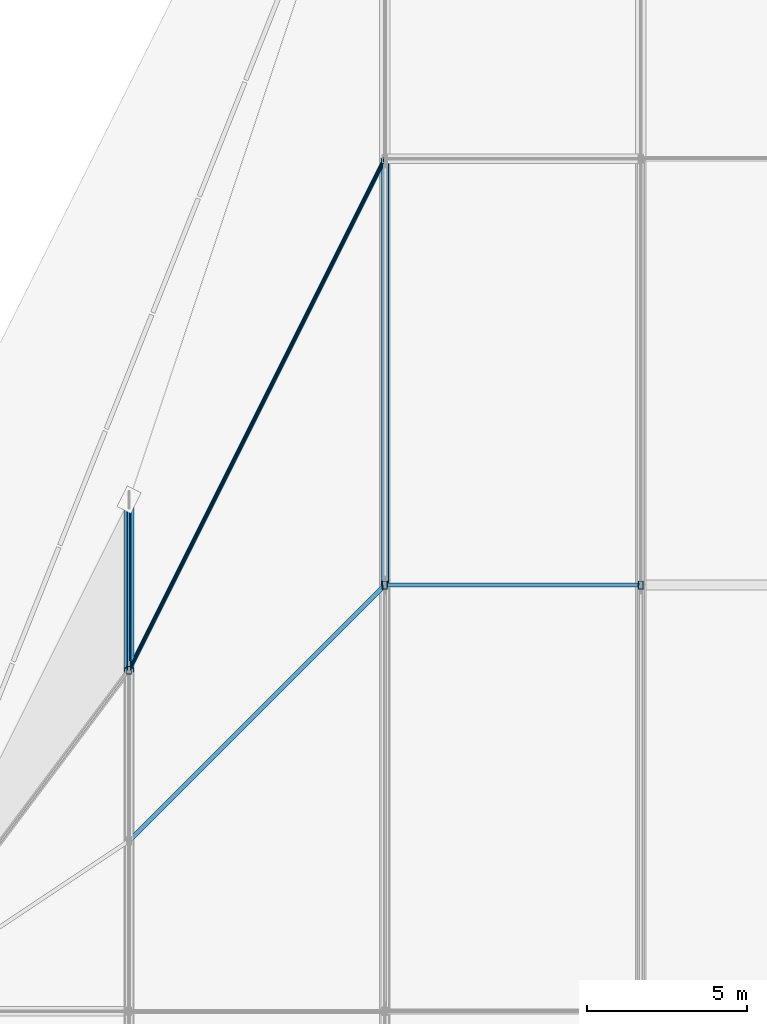
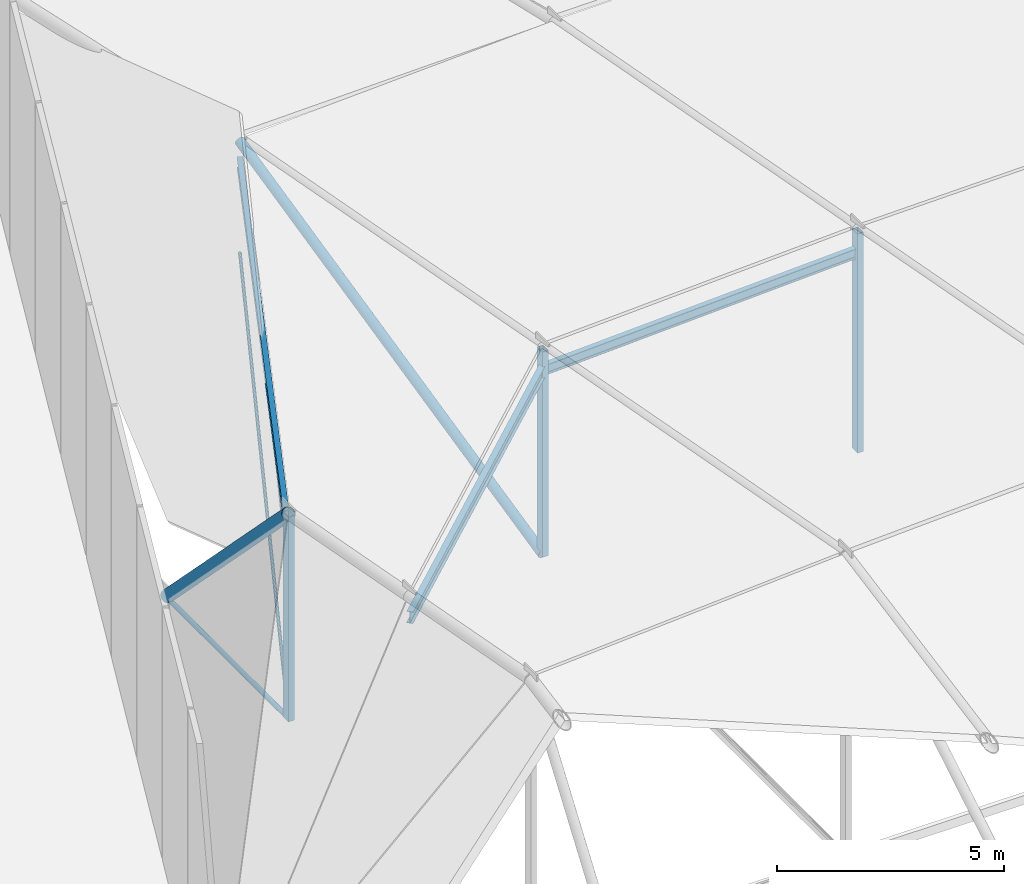
# One storey, part 9 of 30: 10 members.
"""IFC4 building model written with IfcOpenShell, lengths in metres."""

import ifcopenshell
import ifcopenshell.guid

model = None  # the IFC model being written
_history = None  # IfcOwnerHistory: only IFC2X3 demands one
_inside = {}  # id of a spatial element -> (the spatial element, [elements in it])
_under = {}  # id of a project, library or spatial element -> (it, [spatial elements below it])
_declared = {}  # id of a project -> (the project, [libraries it declares])
_typed = {}  # id of a type object -> (the type object, [elements of that type])
_made_of = {}  # id of a material, layer set ... -> (it, [elements and type objects made of it])


def new_model(schema):
    """Start an empty IFC model of exactly this schema.

    Asked for "IFC4X3", IfcOpenShell would pick the latest addendum, in which some entities
    have other attributes; the version numbers below select the first issue.
    IFC2X3 requires an IfcOwnerHistory on every rooted entity: one is made here for all.
    """
    global model, _history
    if schema == "IFC4X3":
        model = ifcopenshell.file(schema_version=(4, 3, 0, 0))
    else:
        model = ifcopenshell.file(schema=schema)
    _inside.clear()
    _under.clear()
    _declared.clear()
    _typed.clear()
    _made_of.clear()
    _history = None
    if model.schema == "IFC2X3":
        org = make("IfcOrganization", Name="unknown")
        user = make(
            "IfcPersonAndOrganization",
            ThePerson=make("IfcPerson", FamilyName="unknown"),
            TheOrganization=org,
        )
        app = make(
            "IfcApplication",
            ApplicationDeveloper=org,
            Version="unknown",
            ApplicationFullName="unknown",
            ApplicationIdentifier="unknown",
        )
        _history = make(
            "IfcOwnerHistory",
            OwningUser=user,
            OwningApplication=app,
            ChangeAction="ADDED",
            CreationDate=0,
        )
    return model


def make(cls, **values):
    """One entity of the class cls with the attributes given. An attribute that is None is left unset."""
    return model.create_entity(
        cls, **{name: value for name, value in values.items() if value is not None}
    )


def rooted(cls, **values):
    """An entity with a GlobalId (a new one), such as an element, a storey or a relation."""
    return make(cls, GlobalId=ifcopenshell.guid.new(), OwnerHistory=_history, **values)


def si_unit(unit_type, name, prefix=None):
    """IfcSIUnit, for example si_unit("LENGTHUNIT", "METRE", prefix="MILLI")."""
    return make("IfcSIUnit", UnitType=unit_type, Prefix=prefix, Name=name)


def assignment(units):
    """IfcUnitAssignment: the units of a project."""
    return None if units is None else make("IfcUnitAssignment", Units=units)


def point(xyz):
    """IfcCartesianPoint."""
    return None if xyz is None else make("IfcCartesianPoint", Coordinates=xyz)


def direction(xyz):
    """IfcDirection."""
    return None if xyz is None else make("IfcDirection", DirectionRatios=xyz)


def frame(location, z_axis=None, x_axis=None):
    """IfcAxis2Placement3D, a coordinate frame: its origin and axes. An axis left out is left unset."""
    return make(
        "IfcAxis2Placement3D",
        Location=point(location),
        Axis=direction(z_axis),
        RefDirection=direction(x_axis),
    )


def frame_2d(location, x_axis=None):
    """IfcAxis2Placement2D, a coordinate frame in the plane: its origin and x axis."""
    return make(
        "IfcAxis2Placement2D", Location=point(location), RefDirection=direction(x_axis)
    )


def origin():
    """The frame at (0, 0, 0) with its axes left unset."""
    return frame((0.0, 0.0, 0.0))


def origin_2d():
    """The frame at (0, 0) in the plane with its x axis left unset."""
    return frame_2d((0.0, 0.0))


def place(relative_to, where):
    """IfcLocalPlacement: puts the frame where relative to a parent placement (None: the world)."""
    return make(
        "IfcLocalPlacement", PlacementRelTo=relative_to, RelativePlacement=where
    )


def context(
    kind, dimensions, precision=None, world=None, true_north=None, identifier=None
):
    """IfcGeometricRepresentationContext, for example the 3D "Model" context."""
    return make(
        "IfcGeometricRepresentationContext",
        ContextIdentifier=identifier,
        ContextType=kind,
        CoordinateSpaceDimension=dimensions,
        Precision=precision,
        WorldCoordinateSystem=world,
        TrueNorth=true_north,
    )


def subcontext(parent, identifier, kind, view, scale=None):
    """IfcGeometricRepresentationSubContext, for example "Body" below "Model"."""
    return make(
        "IfcGeometricRepresentationSubContext",
        ContextIdentifier=identifier,
        ContextType=kind,
        ParentContext=parent,
        TargetScale=scale,
        TargetView=view,
    )


def project(units=None, contexts=None):
    """IfcProject with its units and contexts."""
    return rooted(
        "IfcProject",
        Name="project",
        RepresentationContexts=contexts,
        UnitsInContext=assignment(units),
    )


def spatial(cls, under=None, at=None, **own):
    """A site, building, storey or space (cls), placed at a placement, below another one or the project."""
    s = rooted(cls, ObjectPlacement=at, **own)
    if under is not None:
        _under.setdefault(under.id(), (under, []))[1].append(s)
    return s


def profile(cls, at=None, kind="AREA", **sizes):
    """A parametric profile (cls). Its sizes go by their IFC names, for example OverallWidth=200.0."""
    return make(cls, ProfileType=kind, Position=at, **sizes)


def hollow_rectangle(**sizes):
    """IfcRectangleHollowProfileDef."""
    return profile("IfcRectangleHollowProfileDef", **sizes)


def circle(**sizes):
    """IfcCircleProfileDef."""
    return profile("IfcCircleProfileDef", **sizes)


def hollow_circle(**sizes):
    """IfcCircleHollowProfileDef."""
    return profile("IfcCircleHollowProfileDef", **sizes)


def i_section(**sizes):
    """IfcIShapeProfileDef."""
    return profile("IfcIShapeProfileDef", **sizes)


def extrude(swept, where, along, depth):
    """IfcExtrudedAreaSolid: the profile swept, set in the frame where, extruded along a direction by depth."""
    return make(
        "IfcExtrudedAreaSolid",
        SweptArea=swept,
        Position=where,
        ExtrudedDirection=direction(along),
        Depth=depth,
    )


def shape(context_of_items, identifier, shape_type, items):
    """IfcShapeRepresentation: the items that make up one representation, for example the "Body"."""
    return make(
        "IfcShapeRepresentation",
        ContextOfItems=context_of_items,
        RepresentationIdentifier=identifier,
        RepresentationType=shape_type,
        Items=items,
    )


def material(Name=None, Category=None):
    """IfcMaterial."""
    return make("IfcMaterial", Name=Name, Category=Category)


def material_profile(
    of_material, cross_section, Name=None, Category=None, Priority=None
):
    """IfcMaterialProfile: a cross section and its material."""
    return make(
        "IfcMaterialProfile",
        Name=Name,
        Material=of_material,
        Profile=cross_section,
        Priority=Priority,
        Category=Category,
    )


def profile_set(profiles, Name=None, composite=None):
    """IfcMaterialProfileSet."""
    return make(
        "IfcMaterialProfileSet",
        Name=Name,
        MaterialProfiles=profiles,
        CompositeProfile=composite,
    )


def made_of(thing, what):
    """Note that an element or type object is made of a material, layer set ...; save() writes the relation."""
    if what is not None:
        _made_of.setdefault(what.id(), (what, []))[1].append(thing)
    return thing


def type_object(cls, material=None, **own):
    """A type object (cls), such as IfcWallType, which elements share."""
    return made_of(rooted(cls, **own), material)


def element(
    cls,
    number,
    at=None,
    inside=None,
    cuts=None,
    type_object=None,
    material=None,
    context=None,
    identifier="Body",
    shape_type=None,
    held_by="IfcProductDefinitionShape",
    body=None,
    shapes=None,
    **own,
):
    """One element of the class cls, such as IfcWall. Its Tag is "e" and its number.

    at: its placement. inside: the storey or other place that contains it. cuts: it is an
    opening in that element (IfcRelVoidsElement). A single representation is given by context,
    identifier, shape_type and body (its items); several are given by shapes. held_by: the class
    of the entity that holds the representations. save() writes the other relations.
    """
    e = rooted(cls, Tag="e%d" % number, ObjectPlacement=at, **own)
    if body is not None:
        shapes = [shape(context, identifier, shape_type, body)]
    if shapes is not None:
        e.Representation = make(held_by, Representations=shapes)
    if inside is not None:
        _inside.setdefault(inside.id(), (inside, []))[1].append(e)
    if cuts is not None:
        rooted(
            "IfcRelVoidsElement", RelatingBuildingElement=cuts, RelatedOpeningElement=e
        )
    if type_object is not None:
        _typed.setdefault(type_object.id(), (type_object, []))[1].append(e)
    return made_of(e, material)


def aggregate(whole, parts):
    """IfcRelAggregates: a whole, such as a stair, and the parts it consists of."""
    return rooted("IfcRelAggregates", RelatingObject=whole, RelatedObjects=parts)


def save(model, path):
    """Write the relations noted so far, then the file.

    IfcRelAggregates (storeys below a building ...), IfcRelContainedInSpatialStructure (elements
    in a storey), IfcRelDefinesByType, IfcRelAssociatesMaterial and IfcRelDeclares: one each for
    every whole, place, type object, material and project.
    """
    for whole, parts in _under.values():
        aggregate(whole, parts)
    for where, things in _inside.values():
        rooted(
            "IfcRelContainedInSpatialStructure",
            RelatedElements=things,
            RelatingStructure=where,
        )
    for kind, things in _typed.values():
        rooted("IfcRelDefinesByType", RelatedObjects=things, RelatingType=kind)
    for what, things in _made_of.values():
        rooted("IfcRelAssociatesMaterial", RelatedObjects=things, RelatingMaterial=what)
    for by, libraries in _declared.values():
        rooted("IfcRelDeclares", RelatingContext=by, RelatedDefinitions=libraries)
    model.write(path)


model = new_model("IFC4")

# Units and contexts
model_context = context("Model", 3, precision=1e-05, world=origin(), true_north=direction((0.0, 1.0)))
body_context = subcontext(model_context, "Body", "Model", "MODEL_VIEW")
ifc_project = project(units=[si_unit("LENGTHUNIT", "METRE"), si_unit("AREAUNIT", "SQUARE_METRE"), si_unit("VOLUMEUNIT", "CUBIC_METRE"), si_unit("PLANEANGLEUNIT", "RADIAN"), si_unit("MASSUNIT", "GRAM", prefix="KILO")], contexts=[model_context])

# Site, building, storey
site_placement = place(None, origin())
site = spatial("IfcSite", under=ifc_project, at=site_placement, CompositionType="ELEMENT")
building_placement = place(site_placement, origin())
building = spatial("IfcBuilding", under=site, at=building_placement, Name="Tazarka Park Arena", CompositionType="ELEMENT")
storey_placement = place(building_placement, frame((0.0, 0.0, 29.39990234375)))
storey = spatial("IfcBuildingStorey", under=building, at=storey_placement, Name="Roof", CompositionType="ELEMENT", Elevation=29.39990234375)

# Members
ifc_material_1 = material(Name="Steel S355", Category="steel")
ifc_material_profile_1 = material_profile(ifc_material_1, hollow_circle(Radius=0.122314453125, WallThickness=0.012451171875, at=origin_2d()), Name="Steel S355")
ifc_profile_set_1 = profile_set([ifc_material_profile_1], Name="Steel S355")
member_type_1 = type_object("IfcMemberType", Name="MEM-BR-05", PredefinedType="BRACE", material=ifc_profile_set_1)
member_1_placement = place(storey_placement, frame((64.0, 77.333251953125, -0.0498046875), z_axis=(0.0, 0.975606504186, 0.219526647562), x_axis=(-1.0, 0.0, 0.0)))
element("IfcMember", 1, at=member_1_placement, inside=storey, type_object=member_type_1, Name="CBD-02-4", PredefinedType="BRACE", context=body_context, shape_type="SweptSolid", body=[
    extrude(hollow_circle(Radius=0.122314453125, WallThickness=0.012451171875, at=origin_2d()), origin(), (0.0, 0.0, 1.0), 13.6669921875),
])
ifc_material_2 = material(Name="Locked-coil steel cable S1570", Category="steel")
ifc_material_profile_2 = material_profile(ifc_material_2, circle(Radius=0.0400390625, at=origin_2d()), Name="Locked-coil steel cable S1570")
ifc_profile_set_2 = profile_set([ifc_material_profile_2], Name="Locked-coil steel cable S1570")
member_type_2 = type_object("IfcMemberType", Name="MEM-CBL-01", PredefinedType="USERDEFINED", material=ifc_profile_set_2)
member_2_placement = place(storey_placement, frame((56.0, 74.666748046875, -0.0498046875), z_axis=(0.4472135955, 0.894427191, 0.0), x_axis=(-0.894427191, 0.4472135955, 0.0)))
element("IfcMember", 2, at=member_2_placement, inside=storey, type_object=member_type_2, Name="CABLE TRANSVERSE 2-5", ObjectType="CABLE", PredefinedType="USERDEFINED", context=body_context, shape_type="SweptSolid", body=[
    extrude(circle(Radius=0.0400390625, at=origin_2d()), origin(), (0.0, 0.0, 1.0), 17.888427734375),
])
ifc_material_3 = material(Name="Locked-coil steel cable S1570", Category="steel")
ifc_material_profile_3 = material_profile(ifc_material_3, circle(Radius=0.06005859375, at=origin_2d()), Name="Locked-coil steel cable S1570")
ifc_profile_set_3 = profile_set([ifc_material_profile_3], Name="Locked-coil steel cable S1570")
member_type_3 = type_object("IfcMemberType", Name="MEM-CBL-03", PredefinedType="USERDEFINED", material=ifc_profile_set_3)
member_3_placement = place(storey_placement, frame((56.0, 74.666748046875, -0.0498046875), z_axis=(0.0, 1.0, 0.0), x_axis=(-1.0, 0.0, 0.0)))
element("IfcMember", 3, at=member_3_placement, inside=storey, type_object=member_type_3, Name="CABLE CBL-03-2-6", ObjectType="CABLE", PredefinedType="USERDEFINED", context=body_context, shape_type="SweptSolid", body=[
    extrude(circle(Radius=0.06005859375, at=origin_2d()), origin(), (0.0, 0.0, 1.0), 5.333251953125),
])
ifc_material_4 = material(Name="Steel S460", Category="steel")
ifc_material_profile_4 = material_profile(ifc_material_4, hollow_circle(Radius=0.161865234375, WallThickness=0.01611328125, at=origin_2d()), Name="Steel S460")
ifc_profile_set_4 = profile_set([ifc_material_profile_4], Name="Steel S460")
member_type_4 = type_object("IfcMemberType", Name="MEM-CH-03", PredefinedType="CHORD", material=ifc_profile_set_4)
member_4_placement = place(storey_placement, frame((56.0, 74.666748046875, 5.44580078125), z_axis=(0.0, 0.699685428343, -0.714451048964), x_axis=(-1.0, 0.0, 0.0)))
element("IfcMember", 4, at=member_4_placement, inside=storey, type_object=member_type_4, Name="CABLE ARCH CHORD 2-6", PredefinedType="CHORD", context=body_context, shape_type="SweptSolid", body=[
    extrude(hollow_circle(Radius=0.161865234375, WallThickness=0.01611328125, at=origin_2d()), origin(), (0.0, 0.0, 1.0), 7.622314453125),
])
ifc_material_5 = material(Name="Steel S355", Category="steel")
ifc_material_profile_5 = material_profile(ifc_material_5, i_section(OverallWidth=0.14990234375, OverallDepth=0.300048828125, WebThickness=0.007080078125, FlangeThickness=0.0107421875, FilletRadius=0.014892578125, at=origin_2d()), Name="Steel S355")
ifc_profile_set_5 = profile_set([ifc_material_profile_5], Name="Steel S355")
member_type_5 = type_object("IfcMemberType", Name="MEM-PR-02", PredefinedType="PURLIN", material=ifc_profile_set_5)
member_5_placement = place(storey_placement, frame((56.0, 69.333251953125, 5.8916015625), z_axis=(0.704432245985, 0.704432245985, -0.086893162179), x_axis=(-0.707106781187, 0.707106781187, 0.0)))
element("IfcMember", 5, at=member_5_placement, inside=storey, type_object=member_type_5, Name="RPM-01-04", PredefinedType="PURLIN", context=body_context, shape_type="SweptSolid", body=[
    extrude(i_section(OverallWidth=0.14990234375, OverallDepth=0.300048828125, WebThickness=0.007080078125, FlangeThickness=0.0107421875, FilletRadius=0.014892578125, at=origin_2d()), origin(), (0.0, 0.0, 1.0), 11.356689453125),
])
ifc_material_6 = material(Name="Steel S355", Category="steel")
ifc_material_profile_6 = material_profile(ifc_material_6, i_section(OverallWidth=0.135009765625, OverallDepth=0.27001953125, WebThickness=0.006591796875, FlangeThickness=0.01025390625, FilletRadius=0.014892578125, at=origin_2d()), Name="Steel S355")
ifc_profile_set_6 = profile_set([ifc_material_profile_6], Name="Steel S355")
member_type_6 = type_object("IfcMemberType", Name="MEM-PR-03", PredefinedType="PURLIN", material=ifc_profile_set_6)
member_6_placement = place(storey_placement, frame((56.0, 74.666748046875, 4.8857421875), z_axis=(0.442924955495, 0.88584991099, -0.13815722565), x_axis=(-0.894427191, 0.4472135955, 0.0)))
element("IfcMember", 6, at=member_6_placement, inside=storey, type_object=member_type_6, Name="RPM-01-05", PredefinedType="PURLIN", context=body_context, shape_type="SweptSolid", body=[
    extrude(i_section(OverallWidth=0.135009765625, OverallDepth=0.27001953125, WebThickness=0.006591796875, FlangeThickness=0.01025390625, FilletRadius=0.014892578125, at=origin_2d()), origin(), (0.0, 0.0, 1.0), 18.061767578125),
])
member_7_placement = place(storey_placement, frame((64.0, 77.333251953125, 4.90478515625), z_axis=(0.998915969307, 0.0, 0.046549825596), x_axis=(0.0, 1.0, 0.0)))
element("IfcMember", 7, at=member_7_placement, inside=storey, type_object=member_type_6, Name="RPM-02-04", PredefinedType="PURLIN", context=body_context, shape_type="SweptSolid", body=[
    extrude(i_section(OverallWidth=0.135009765625, OverallDepth=0.27001953125, WebThickness=0.006591796875, FlangeThickness=0.01025390625, FilletRadius=0.014892578125, at=origin_2d()), origin(), (0.0, 0.0, 1.0), 8.0087890625),
])
ifc_material_7 = material(Name="Steel S355", Category="steel")
ifc_material_profile_7 = material_profile(ifc_material_7, hollow_rectangle(XDim=0.14990234375, YDim=0.25, WallThickness=0.010009765625, at=origin_2d()), Name="Steel S355")
ifc_profile_set_7 = profile_set([ifc_material_profile_7], Name="Steel S355")
member_type_7 = type_object("IfcMemberType", Name="MEM-PT-02", PredefinedType="POST", material=ifc_profile_set_7)
member_8_placement = place(storey_placement, frame((56.0, 74.666748046875, -0.0498046875), z_axis=(0.0, 0.0, 1.0), x_axis=(1.0, 0.0, 0.0)))
element("IfcMember", 8, at=member_8_placement, inside=storey, type_object=member_type_7, Name="CBH-01-5", PredefinedType="POST", context=body_context, shape_type="SweptSolid", body=[
    extrude(hollow_rectangle(XDim=0.14990234375, YDim=0.25, WallThickness=0.010009765625, at=origin_2d()), origin(), (0.0, 0.0, 1.0), 5.49560546875),
])
member_9_placement = place(storey_placement, frame((64.0, 77.333251953125, -0.0498046875), z_axis=(0.0, 0.0, 1.0), x_axis=(1.0, 0.0, 0.0)))
element("IfcMember", 9, at=member_9_placement, inside=storey, type_object=member_type_7, Name="CBH-02-4", PredefinedType="POST", context=body_context, shape_type="SweptSolid", body=[
    extrude(hollow_rectangle(XDim=0.14990234375, YDim=0.25, WallThickness=0.010009765625, at=origin_2d()), origin(), (0.0, 0.0, 1.0), 5.5146484375),
])
member_10_placement = place(storey_placement, frame((72.0, 77.333251953125, -0.0498046875), z_axis=(0.0, 0.0, 1.0), x_axis=(1.0, 0.0, 0.0)))
element("IfcMember", 10, at=member_10_placement, inside=storey, type_object=member_type_7, Name="CBH-03-4", PredefinedType="POST", context=body_context, shape_type="SweptSolid", body=[
    extrude(hollow_rectangle(XDim=0.14990234375, YDim=0.25, WallThickness=0.010009765625, at=origin_2d()), origin(), (0.0, 0.0, 1.0), 5.887451171875),
])

save(model, "model.ifc")
